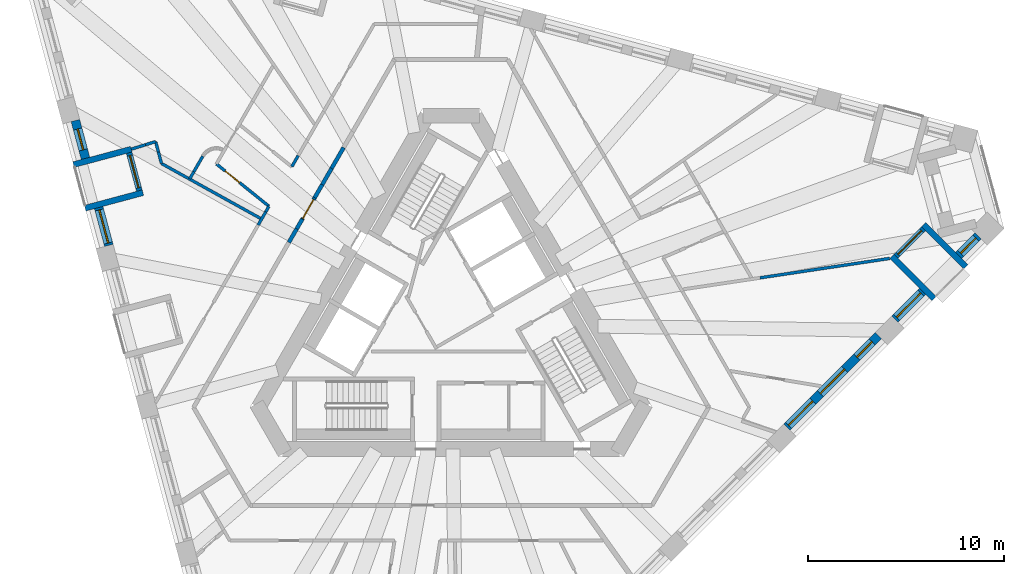
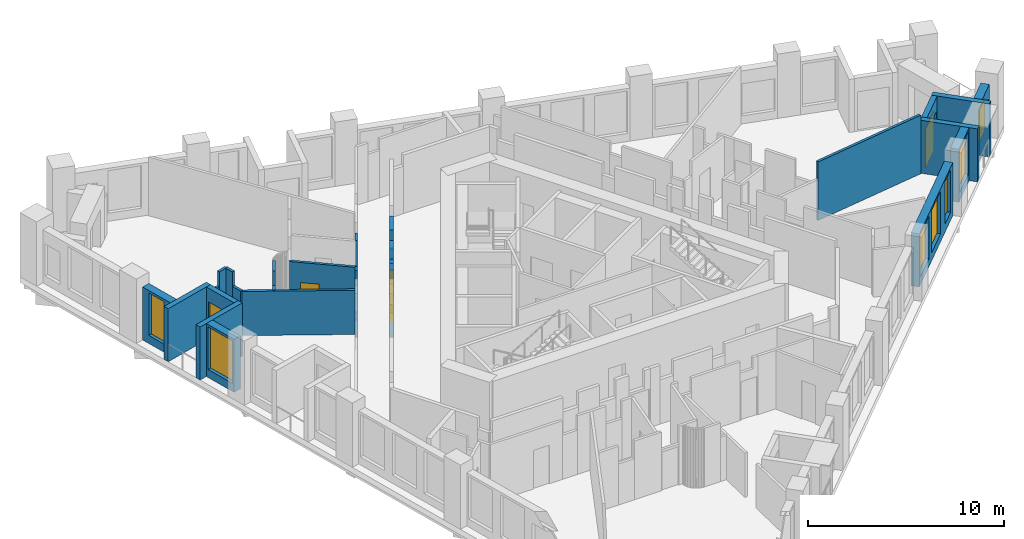
# One storey, part 6 of 13: 29 walls, 7 windows, 4 doors, 11 openings.
"""IFC4 building model written with IfcOpenShell, lengths in metres."""

from ifc_helpers import new_model, si_unit, direction, frame, frame_2d, origin, place, context, subcontext, project, spatial, polyline, rectangle, outline, extrude, material, layer, layer_set, type_object, element, fill, save


model = new_model("IFC4")

# Units and contexts
model_context = context("Model", 3, precision=1e-05, world=origin(), true_north=direction((0.0, 1.0)))
body_context = subcontext(model_context, "Body", "Model", "MODEL_VIEW")
ifc_project = project(units=[si_unit("LENGTHUNIT", "METRE"), si_unit("AREAUNIT", "SQUARE_METRE"), si_unit("VOLUMEUNIT", "CUBIC_METRE"), si_unit("PLANEANGLEUNIT", "RADIAN"), si_unit("MASSUNIT", "GRAM", prefix="KILO")], contexts=[model_context])

# Site, building, storey
site_placement = place(None, origin())
site = spatial("IfcSite", under=ifc_project, at=site_placement, CompositionType="ELEMENT")
building_placement = place(site_placement, origin())
building = spatial("IfcBuilding", under=site, at=building_placement, Name="Tramontana Tower", CompositionType="ELEMENT")
storey_placement = place(building_placement, frame((0.0, 0.0, 212.0)))
storey = spatial("IfcBuildingStorey", under=building, at=storey_placement, Name="L49", CompositionType="ELEMENT", Elevation=212.0)

# Walls
ifc_material_1 = material(Name="Blockwork", Category="masonry")
ifc_layer_1 = layer(ifc_material_1, 0.199951171875)
ifc_layer_set_1 = layer_set([ifc_layer_1], Name="ENTRY WALL 200")
wall_type_1 = type_object("IfcWallType", Name="ENTRY WALL 200", PredefinedType="SOLIDWALL", material=ifc_layer_set_1)
wall_1_placement = place(storey_placement, frame((-8.2783203125, 4.16162109375, 0.0), z_axis=(0.0, 0.0, 1.0), x_axis=(0.500109828528, 0.865961984968, 0.0)))
element("IfcWall", 1, at=wall_1_placement, inside=storey, type_object=wall_type_1, Name="Wall v51-ew4-5", PredefinedType="SOLIDWALL", context=body_context, shape_type="SweptSolid", body=[
    extrude(rectangle(XDim=0.800048828125, YDim=0.199951171875, at=frame_2d((0.39990234375, 0.0))), origin(), (0.0, 0.0, 1.0), 2.75),
])
wall_2_placement = place(storey_placement, frame((-7.878173828125, 4.8544921875, 0.0), z_axis=(0.0, 0.0, 1.0), x_axis=(0.499783563124, 0.866150327617, 0.0)))
element("IfcWall", 2, at=wall_2_placement, inside=storey, type_object=wall_type_1, Name="Wall v51-ew4-6", PredefinedType="SOLIDWALL", context=body_context, shape_type="SweptSolid", body=[
    extrude(rectangle(XDim=0.576416015625, YDim=0.199951171875, at=frame_2d((0.2880859375, 0.0))), origin(), (0.0, 0.0, 1.0), 3.64990234375),
])

# Wall, opening, door
wall_3_placement = place(storey_placement, frame((-7.590087890625, 5.353759765625, 0.0), z_axis=(0.0, 0.0, 1.0), x_axis=(0.50013570633, 0.86594703952, 0.0)))
wall_3 = element("IfcWall", 3, at=wall_3_placement, inside=storey, type_object=wall_type_1, Name="Wall v51-ew4-7", PredefinedType="SOLIDWALL", context=body_context, shape_type="SweptSolid", body=[
    extrude(outline(polyline([(0.0, 0.0), (1.261474609375, 0.0), (1.261474609375, 2.550048828125), (0.347412109375, 2.550048828125), (0.347412109375, 3.64990234375), (0.0, 3.64990234375), (0.0, 0.0)])), frame((0.0, 0.10009765625, 0.0), z_axis=(0.0, -1.0, 0.0), x_axis=(1.0, 0.0, 0.0)), (0.0, 0.0, 1.0), 0.199951171875),
])
opening_1_placement = place(wall_3_placement, frame((0.050048828125, 0.0, 0.0)))
opening_1 = element("IfcOpeningElement", 4, at=opening_1_placement, cuts=wall_3, Name="Opening B5B-19", PredefinedType="OPENING", context=body_context, shape_type="SweptSolid", body=[
    extrude(rectangle(XDim=1.10009765625, YDim=2.39990234375, at=frame_2d((0.550048828125, 1.199951171875))), frame((0.0, 0.10986328125, 0.0), z_axis=(0.0, -1.0, 0.0), x_axis=(1.0, 0.0, 0.0)), (0.0, 0.0, 1.0), 0.219970703125),
])
ifc_material_2 = material(Name="Painted timber", Category="wood")
door_type_1 = type_object("IfcDoorType", Name="DOOR ENTRY 1100", OperationType="SINGLE_SWING_LEFT", PredefinedType="DOOR", material=ifc_material_2)
door_1_placement = place(opening_1_placement, origin())
door_1 = element("IfcDoor", 5, at=door_1_placement, inside=storey, type_object=door_type_1, Name="Door B5B-19", OperationType="SINGLE_SWING_LEFT", OverallHeight=2.39990234375, OverallWidth=1.10009765625, PredefinedType="DOOR", context=body_context, shape_type="SweptSolid", body=[
    extrude(rectangle(XDim=1.10009765625, YDim=2.39990234375, at=frame_2d((0.550048828125, 1.199951171875))), frame((0.0, 0.02490234375, 0.0), z_axis=(0.0, -1.0, 0.0), x_axis=(1.0, 0.0, 0.0)), (0.0, 0.0, 1.0), 0.050048828125),
])
fill(opening_1, door_1)

# Walls
wall_4_placement = place(storey_placement, frame((-6.959228515625, 6.446044921875, 0.0), z_axis=(0.0, 0.0, 1.0), x_axis=(0.499997253739, 0.866026989333, 0.0)))
element("IfcWall", 6, at=wall_4_placement, inside=storey, type_object=wall_type_1, Name="Wall v51-ew4-8", PredefinedType="SOLIDWALL", context=body_context, shape_type="SweptSolid", body=[
    extrude(rectangle(XDim=0.76904296875, YDim=0.199951171875, at=frame_2d((0.384521484375, 0.0))), origin(), (0.0, 0.0, 1.0), 3.64990234375),
])
wall_5_placement = place(storey_placement, frame((-6.57470703125, 7.112060546875, 0.0), z_axis=(0.0, 0.0, 1.0), x_axis=(0.499869636591, 0.866100656052, 0.0)))
element("IfcWall", 7, at=wall_5_placement, inside=storey, type_object=wall_type_1, Name="Wall v51-ew4-9", PredefinedType="SOLIDWALL", context=body_context, shape_type="SweptSolid", body=[
    extrude(rectangle(XDim=0.957275390625, YDim=0.199951171875, at=frame_2d((0.478515625, 0.0))), origin(), (0.0, 0.0, 1.0), 2.550048828125),
])
wall_6_placement = place(storey_placement, frame((-6.09619140625, 7.941162109375, 0.0), z_axis=(0.0, 0.0, 1.0), x_axis=(0.500055461028, 0.865993380977, 0.0)))
element("IfcWall", 8, at=wall_6_placement, inside=storey, type_object=wall_type_1, Name="Wall v51-ew4-10", PredefinedType="SOLIDWALL", context=body_context, shape_type="SweptSolid", body=[
    extrude(rectangle(XDim=1.226806640625, YDim=0.199951171875, at=frame_2d((0.61328125, 0.0))), origin(), (0.0, 0.0, 1.0), 3.64990234375),
])

# Wall, opening, window
ifc_material_3 = material(Name="Precast concrete 60 MPa", Category="concrete")
ifc_layer_2 = layer(ifc_material_3, 0.449951171875)
ifc_layer_set_2 = layer_set([ifc_layer_2], Name="Precast concrete 60 MPa, 450 mm")
wall_type_2 = type_object("IfcWallType", Name="EW1 Stone-faced precast wall 450", PredefinedType="SOLIDWALL", material=ifc_layer_set_2)
wall_7_placement = place(storey_placement, frame((-19.1650390625, 10.3818359375, 0.0), z_axis=(0.0, 0.0, 1.0), x_axis=(0.258803270362, -0.96593005298, 0.0)))
wall_7 = element("IfcWall", 9, at=wall_7_placement, inside=storey, type_object=wall_type_2, Name="External wall L49 face 0 bay 2", PredefinedType="SOLIDWALL", context=body_context, shape_type="SweptSolid", body=[
    extrude(rectangle(XDim=1.998046875, YDim=0.449951171875, at=frame_2d((0.9990234375, 0.0))), origin(), (0.0, 0.0, 1.0), 3.300048828125),
])
opening_2_placement = place(wall_7_placement, frame((0.448974609375, 0.0, 0.5)))
opening_2 = element("IfcOpeningElement", 10, at=opening_2_placement, cuts=wall_7, Name="Opening N2", PredefinedType="OPENING", context=body_context, shape_type="SweptSolid", body=[
    extrude(rectangle(XDim=1.10009765625, YDim=2.64990234375, at=frame_2d((0.550048828125, 1.324951171875))), frame((0.0, 0.23486328125, 0.0), z_axis=(0.0, -1.0, 0.0), x_axis=(1.0, 0.0, 0.0)), (0.0, 0.0, 1.0), 0.469970703125),
])
ifc_material_4 = material(Name="Aluminum frame, double glazing unit", Category="aluminium")
window_type_1 = type_object("IfcWindowType", Name="N2 Window 1.1 x 2.65", PartitioningType="SINGLE_PANEL", PredefinedType="WINDOW", material=ifc_material_4)
window_1_placement = place(opening_2_placement, origin())
window_1 = element("IfcWindow", 11, at=window_1_placement, inside=storey, type_object=window_type_1, Name="Window N2 L49 face 0 module 4", OverallHeight=2.64990234375, OverallWidth=1.10009765625, PartitioningType="SINGLE_PANEL", PredefinedType="WINDOW", context=body_context, shape_type="SweptSolid", body=[
    extrude(rectangle(XDim=1.10009765625, YDim=2.64990234375, at=frame_2d((0.550048828125, 1.324951171875))), frame((0.0, 0.030029296875, 0.0), z_axis=(0.0, -1.0, 0.0), x_axis=(1.0, 0.0, 0.0)), (0.0, 0.0, 1.0), 0.06005859375),
])
fill(opening_2, window_1)

wall_8_placement = place(storey_placement, frame((-17.9755859375, 5.9423828125, 0.0), z_axis=(0.0, 0.0, 1.0), x_axis=(0.25891727291, -0.965899500874, 0.0)))
wall_8 = element("IfcWall", 12, at=wall_8_placement, inside=storey, type_object=wall_type_2, Name="External wall L49 face 0 bay 2", PredefinedType="SOLIDWALL", context=body_context, shape_type="SweptSolid", body=[
    extrude(rectangle(XDim=1.998046875, YDim=0.449951171875, at=frame_2d((0.9990234375, 0.0))), origin(), (0.0, 0.0, 1.0), 3.300048828125),
])
opening_3_placement = place(wall_8_placement, frame((0.1240234375, 0.0, 0.5)))
opening_3 = element("IfcOpeningElement", 13, at=opening_3_placement, cuts=wall_8, Name="Opening M2", PredefinedType="OPENING", context=body_context, shape_type="SweptSolid", body=[
    extrude(rectangle(XDim=1.75, YDim=2.64990234375, at=frame_2d((0.875, 1.324951171875))), frame((0.0, 0.23486328125, 0.0), z_axis=(0.0, -1.0, 0.0), x_axis=(1.0, 0.0, 0.0)), (0.0, 0.0, 1.0), 0.469970703125),
])
ifc_material_5 = material(Name="Aluminum frame, double glazing unit", Category="aluminium")
window_type_2 = type_object("IfcWindowType", Name="M2 Window 1.75 x 2.65", PartitioningType="SINGLE_PANEL", PredefinedType="WINDOW", material=ifc_material_5)
window_2_placement = place(opening_3_placement, origin())
window_2 = element("IfcWindow", 14, at=window_2_placement, inside=storey, type_object=window_type_2, Name="Window M2 L49 face 0 module 6", OverallHeight=2.64990234375, OverallWidth=1.75, PartitioningType="SINGLE_PANEL", PredefinedType="WINDOW", context=body_context, shape_type="SweptSolid", body=[
    extrude(rectangle(XDim=1.75, YDim=2.64990234375, at=frame_2d((0.875, 1.324951171875))), frame((0.0, 0.030029296875, 0.0), z_axis=(0.0, -1.0, 0.0), x_axis=(1.0, 0.0, 0.0)), (0.0, 0.0, 1.0), 0.06005859375),
])
fill(opening_3, window_2)

# Wall, openings, windows
wall_9_placement = place(storey_placement, frame((17.12548828125, -5.25439453125, 0.0), z_axis=(0.0, 0.0, 1.0), x_axis=(0.707106781187, 0.707106781187, 0.0)))
wall_9 = element("IfcWall", 15, at=wall_9_placement, inside=storey, type_object=wall_type_2, Name="External wall L49 face 1 bay 5", PredefinedType="SOLIDWALL", context=body_context, shape_type="SweptSolid", body=[
    extrude(rectangle(XDim=6.59423828125, YDim=0.449951171875, at=frame_2d((3.297119140625, 0.0))), origin(), (0.0, 0.0, 1.0), 3.300048828125),
])
opening_4_placement = place(wall_9_placement, frame((0.1240234375, 0.0, 0.5)))
opening_4 = element("IfcOpeningElement", 16, at=opening_4_placement, cuts=wall_9, Name="Opening M2", PredefinedType="OPENING", context=body_context, shape_type="SweptSolid", body=[
    extrude(rectangle(XDim=1.75, YDim=2.64990234375, at=frame_2d((0.875, 1.324951171875))), frame((0.0, 0.23486328125, 0.0), z_axis=(0.0, -1.0, 0.0), x_axis=(1.0, 0.0, 0.0)), (0.0, 0.0, 1.0), 0.469970703125),
])
opening_5_placement = place(wall_9_placement, frame((2.422119140625, 0.0, 0.5)))
opening_5 = element("IfcOpeningElement", 17, at=opening_5_placement, cuts=wall_9, Name="Opening M2", PredefinedType="OPENING", context=body_context, shape_type="SweptSolid", body=[
    extrude(rectangle(XDim=1.75, YDim=2.64990234375, at=frame_2d((0.875, 1.324951171875))), frame((0.0, 0.23486328125, 0.0), z_axis=(0.0, -1.0, 0.0), x_axis=(1.0, 0.0, 0.0)), (0.0, 0.0, 1.0), 0.469970703125),
])
opening_6_placement = place(wall_9_placement, frame((5.045166015625, 0.0, 0.5)))
opening_6 = element("IfcOpeningElement", 18, at=opening_6_placement, cuts=wall_9, Name="Opening N2", PredefinedType="OPENING", context=body_context, shape_type="SweptSolid", body=[
    extrude(rectangle(XDim=1.10009765625, YDim=2.64990234375, at=frame_2d((0.550048828125, 1.324951171875))), frame((0.0, 0.23486328125, 0.0), z_axis=(0.0, -1.0, 0.0), x_axis=(1.0, 0.0, 0.0)), (0.0, 0.0, 1.0), 0.469970703125),
])
window_3_placement = place(opening_4_placement, origin())
window_3 = element("IfcWindow", 19, at=window_3_placement, inside=storey, type_object=window_type_2, Name="Window M2 L49 face 1 module 13", OverallHeight=2.64990234375, OverallWidth=1.75, PartitioningType="SINGLE_PANEL", PredefinedType="WINDOW", context=body_context, shape_type="SweptSolid", body=[
    extrude(rectangle(XDim=1.75, YDim=2.64990234375, at=frame_2d((0.875, 1.324951171875))), frame((0.0, 0.030029296875, 0.0), z_axis=(0.0, -1.0, 0.0), x_axis=(1.0, 0.0, 0.0)), (0.0, 0.0, 1.0), 0.06005859375),
])
fill(opening_4, window_3)
window_4_placement = place(opening_5_placement, origin())
window_4 = element("IfcWindow", 20, at=window_4_placement, inside=storey, type_object=window_type_2, Name="Window M2 L49 face 1 module 14", OverallHeight=2.64990234375, OverallWidth=1.75, PartitioningType="SINGLE_PANEL", PredefinedType="WINDOW", context=body_context, shape_type="SweptSolid", body=[
    extrude(rectangle(XDim=1.75, YDim=2.64990234375, at=frame_2d((0.875, 1.324951171875))), frame((0.0, 0.030029296875, 0.0), z_axis=(0.0, -1.0, 0.0), x_axis=(1.0, 0.0, 0.0)), (0.0, 0.0, 1.0), 0.06005859375),
])
fill(opening_5, window_4)
window_5_placement = place(opening_6_placement, origin())
window_5 = element("IfcWindow", 21, at=window_5_placement, inside=storey, type_object=window_type_1, Name="Window N2 L49 face 1 module 15", OverallHeight=2.64990234375, OverallWidth=1.10009765625, PartitioningType="SINGLE_PANEL", PredefinedType="WINDOW", context=body_context, shape_type="SweptSolid", body=[
    extrude(rectangle(XDim=1.10009765625, YDim=2.64990234375, at=frame_2d((0.550048828125, 1.324951171875))), frame((0.0, 0.030029296875, 0.0), z_axis=(0.0, -1.0, 0.0), x_axis=(1.0, 0.0, 0.0)), (0.0, 0.0, 1.0), 0.06005859375),
])
fill(opening_6, window_5)

# Wall, opening, window
wall_10_placement = place(storey_placement, frame((22.636962890625, 0.257080078125, 0.0), z_axis=(0.0, 0.0, 1.0), x_axis=(0.707106781187, 0.707106781187, 0.0)))
wall_10 = element("IfcWall", 22, at=wall_10_placement, inside=storey, type_object=wall_type_2, Name="External wall L49 face 1 bay 6", PredefinedType="SOLIDWALL", context=body_context, shape_type="SweptSolid", body=[
    extrude(rectangle(XDim=1.998046875, YDim=0.449951171875, at=frame_2d((0.9990234375, 0.0))), origin(), (0.0, 0.0, 1.0), 3.300048828125),
])
opening_7_placement = place(wall_10_placement, frame((0.1240234375, 0.0, 0.5)))
opening_7 = element("IfcOpeningElement", 23, at=opening_7_placement, cuts=wall_10, Name="Opening M2", PredefinedType="OPENING", context=body_context, shape_type="SweptSolid", body=[
    extrude(rectangle(XDim=1.75, YDim=2.64990234375, at=frame_2d((0.875, 1.324951171875))), frame((0.0, 0.23486328125, 0.0), z_axis=(0.0, -1.0, 0.0), x_axis=(1.0, 0.0, 0.0)), (0.0, 0.0, 1.0), 0.469970703125),
])
window_6_placement = place(opening_7_placement, origin())
window_6 = element("IfcWindow", 24, at=window_6_placement, inside=storey, type_object=window_type_2, Name="Window M2 L49 face 1 module 16", OverallHeight=2.64990234375, OverallWidth=1.75, PartitioningType="SINGLE_PANEL", PredefinedType="WINDOW", context=body_context, shape_type="SweptSolid", body=[
    extrude(rectangle(XDim=1.75, YDim=2.64990234375, at=frame_2d((0.875, 1.324951171875))), frame((0.0, 0.030029296875, 0.0), z_axis=(0.0, -1.0, 0.0), x_axis=(1.0, 0.0, 0.0)), (0.0, 0.0, 1.0), 0.06005859375),
])
fill(opening_7, window_6)

wall_11_placement = place(storey_placement, frame((25.886962890625, 3.507080078125, 0.0), z_axis=(0.0, 0.0, 1.0), x_axis=(0.707106781187, 0.707106781187, 0.0)))
wall_11 = element("IfcWall", 25, at=wall_11_placement, inside=storey, type_object=wall_type_2, Name="External wall L49 face 1 bay 6", PredefinedType="SOLIDWALL", context=body_context, shape_type="SweptSolid", body=[
    extrude(rectangle(XDim=1.39794921875, YDim=0.449951171875, at=frame_2d((0.698974609375, 0.0))), origin(), (0.0, 0.0, 1.0), 3.300048828125),
])
opening_8_placement = place(wall_11_placement, frame((0.14892578125, 0.0, 0.5)))
opening_8 = element("IfcOpeningElement", 26, at=opening_8_placement, cuts=wall_11, Name="Opening N2L", PredefinedType="OPENING", context=body_context, shape_type="SweptSolid", body=[
    extrude(rectangle(XDim=1.10009765625, YDim=2.0, at=frame_2d((0.550048828125, 1.0))), frame((0.0, 0.23486328125, 0.0), z_axis=(0.0, -1.0, 0.0), x_axis=(1.0, 0.0, 0.0)), (0.0, 0.0, 1.0), 0.469970703125),
])
ifc_material_6 = material(Name="Aluminum frame, double glazing unit", Category="aluminium")
window_type_3 = type_object("IfcWindowType", Name="N2L Window 1.1 x 2", PartitioningType="SINGLE_PANEL", PredefinedType="WINDOW", material=ifc_material_6)
window_7_placement = place(opening_8_placement, origin())
window_7 = element("IfcWindow", 27, at=window_7_placement, inside=storey, type_object=window_type_3, Name="Window N2L L49 face 1 module 18", OverallHeight=2.0, OverallWidth=1.10009765625, PartitioningType="SINGLE_PANEL", PredefinedType="WINDOW", context=body_context, shape_type="SweptSolid", body=[
    extrude(rectangle(XDim=1.10009765625, YDim=2.0, at=frame_2d((0.550048828125, 1.0))), frame((0.0, 0.030029296875, 0.0), z_axis=(0.0, -1.0, 0.0), x_axis=(1.0, 0.0, 0.0)), (0.0, 0.0, 1.0), 0.06005859375),
])
fill(opening_8, window_7)

# Wall, opening, door
ifc_material_7 = material(Name="Precast concrete 60 MPa", Category="concrete")
ifc_layer_3 = layer(ifc_material_7, 0.300048828125)
ifc_layer_set_3 = layer_set([ifc_layer_3], Name="LW1 Stone-faced loggia wall 300")
wall_type_3 = type_object("IfcWallType", Name="LW1 Stone-faced loggia wall 300", PredefinedType="SOLIDWALL", material=ifc_layer_set_3)
wall_12_placement = place(storey_placement, frame((-16.421142578125, 8.738037109375, 0.0), z_axis=(0.0, 0.0, 1.0), x_axis=(0.258803270362, -0.96593005298, 0.0)))
wall_12 = element("IfcWall", 28, at=wall_12_placement, inside=storey, type_object=wall_type_3, Name="Loggia wall L49 G5S0.4", PredefinedType="SOLIDWALL", context=body_context, shape_type="SweptSolid", body=[
    extrude(rectangle(XDim=1.998046875, YDim=0.300048828125, at=frame_2d((0.9990234375, 0.0))), origin(), (0.0, 0.0, 1.0), 3.300048828125),
])
opening_9_placement = place(wall_12_placement, frame((0.14892578125, 0.0, 0.0)))
opening_9 = element("IfcOpeningElement", 29, at=opening_9_placement, cuts=wall_12, Name="Opening BD-5S0-04", PredefinedType="OPENING", context=body_context, shape_type="SweptSolid", body=[
    extrude(rectangle(XDim=1.699951171875, YDim=2.449951171875, at=frame_2d((0.85009765625, 1.22509765625))), frame((0.0, 0.159912109375, 0.0), z_axis=(0.0, -1.0, 0.0), x_axis=(1.0, 0.0, 0.0)), (0.0, 0.0, 1.0), 0.320068359375),
])
ifc_material_8 = material(Name="Aluminum frame, double glazing unit", Category="aluminium")
door_type_2 = type_object("IfcDoorType", Name="BD2 Sliding door 1.7 x 2.45", OperationType="SLIDING_TO_LEFT", PredefinedType="DOOR", material=ifc_material_8)
door_2_placement = place(opening_9_placement, origin())
door_2 = element("IfcDoor", 30, at=door_2_placement, inside=storey, type_object=door_type_2, Name="Loggia door L49 G5S0.4", OperationType="SLIDING_TO_LEFT", OverallHeight=2.449951171875, OverallWidth=1.699951171875, PredefinedType="DOOR", context=body_context, shape_type="SweptSolid", body=[
    extrude(rectangle(XDim=1.699951171875, YDim=2.449951171875, at=frame_2d((0.85009765625, 1.22509765625))), frame((0.0, 0.02490234375, 0.0), z_axis=(0.0, -1.0, 0.0), x_axis=(1.0, 0.0, 0.0)), (0.0, 0.0, 1.0), 0.050048828125),
])
fill(opening_9, door_2)

# Walls
wall_13_placement = place(storey_placement, frame((-19.26123046875, 8.13232421875, 0.0), z_axis=(0.0, 0.0, 1.0), x_axis=(0.9659380486, 0.25877342651, 0.0)))
element("IfcWall", 31, at=wall_13_placement, inside=storey, type_object=wall_type_3, Name="Loggia return L49 G5S0.4a", PredefinedType="SOLIDWALL", context=body_context, shape_type="SweptSolid", body=[
    extrude(rectangle(XDim=3.05029296875, YDim=0.300048828125, at=frame_2d((1.525146484375, 0.0))), origin(), (0.0, 0.0, 1.0), 3.300048828125),
])
wall_14_placement = place(storey_placement, frame((-18.666259765625, 5.91259765625, 0.0), z_axis=(0.0, 0.0, 1.0), x_axis=(0.965932688119, 0.258793435045, 0.0)))
element("IfcWall", 32, at=wall_14_placement, inside=storey, type_object=wall_type_3, Name="Loggia return L49 G5S0.4b", PredefinedType="SOLIDWALL", context=body_context, shape_type="SweptSolid", body=[
    extrude(rectangle(XDim=3.050048828125, YDim=0.300048828125, at=frame_2d((1.52490234375, 0.0))), origin(), (0.0, 0.0, 1.0), 3.300048828125),
])

# Wall, opening, door
wall_15_placement = place(storey_placement, frame((22.688720703125, 3.455322265625, 0.0), z_axis=(0.0, 0.0, 1.0), x_axis=(0.707106781187, 0.707106781187, 0.0)))
wall_15 = element("IfcWall", 33, at=wall_15_placement, inside=storey, type_object=wall_type_3, Name="Loggia wall L49 G5S1.16", PredefinedType="SOLIDWALL", context=body_context, shape_type="SweptSolid", body=[
    extrude(rectangle(XDim=1.998046875, YDim=0.300048828125, at=frame_2d((0.9990234375, 0.0))), origin(), (0.0, 0.0, 1.0), 3.300048828125),
])
opening_10_placement = place(wall_15_placement, frame((0.14892578125, 0.0, 0.0)))
opening_10 = element("IfcOpeningElement", 34, at=opening_10_placement, cuts=wall_15, Name="Opening BD-5S1-16", PredefinedType="OPENING", context=body_context, shape_type="SweptSolid", body=[
    extrude(rectangle(XDim=1.699951171875, YDim=2.449951171875, at=frame_2d((0.85009765625, 1.22509765625))), frame((0.0, 0.159912109375, 0.0), z_axis=(0.0, -1.0, 0.0), x_axis=(1.0, 0.0, 0.0)), (0.0, 0.0, 1.0), 0.320068359375),
])
door_3_placement = place(opening_10_placement, origin())
door_3 = element("IfcDoor", 35, at=door_3_placement, inside=storey, type_object=door_type_2, Name="Loggia door L49 G5S1.16", OperationType="SLIDING_TO_LEFT", OverallHeight=2.449951171875, OverallWidth=1.699951171875, PredefinedType="DOOR", context=body_context, shape_type="SweptSolid", body=[
    extrude(rectangle(XDim=1.699951171875, YDim=2.449951171875, at=frame_2d((0.85009765625, 1.22509765625))), frame((0.0, 0.02490234375, 0.0), z_axis=(0.0, -1.0, 0.0), x_axis=(1.0, 0.0, 0.0)), (0.0, 0.0, 1.0), 0.050048828125),
])
fill(opening_10, door_3)

# Walls
for number, where, z_axis, x_axis, name in (
    (36, (24.633056640625, 1.298583984375, 0.0), (0.0, 0.0, 1.0), (-0.707066755897, 0.707146804211, 0.0), "Loggia return L49 G5S1.16a"),
    (37, (26.258056640625, 2.923583984375, 0.0), (0.0, 0.0, 1.0), (-0.707066755897, 0.707146804211, 0.0), "Loggia return L49 G5S1.16b"),
):
    element("IfcWall", number, at=place(storey_placement, frame(where, z_axis=z_axis, x_axis=x_axis)), inside=storey, type_object=wall_type_3, Name=name, PredefinedType="SOLIDWALL", context=body_context, shape_type="SweptSolid", body=[
        extrude(rectangle(XDim=3.0498046875, YDim=0.300048828125, at=frame_2d((1.52490234375, 0.0))), origin(), (0.0, 0.0, 1.0), 3.300048828125),
    ])
ifc_material_9 = material(Name="Gypsum board partition")
ifc_layer_4 = layer(ifc_material_9, 0.14990234375)
ifc_layer_set_4 = layer_set([ifc_layer_4], Name="PARTITION 150")
wall_type_4 = type_object("IfcWallType", Name="PARTITION 150", PredefinedType="PARTITIONING", material=ifc_layer_set_4)
wall_16_placement = place(storey_placement, frame((-9.843994140625, 5.0498046875, 0.0), z_axis=(0.0, 0.0, 1.0), x_axis=(0.500204125617, 0.865907519724, 0.0)))
element("IfcWall", 38, at=wall_16_placement, inside=storey, type_object=wall_type_4, Name="Wall v51-pw01-4", PredefinedType="PARTITIONING", context=body_context, shape_type="SweptSolid", body=[
    extrude(rectangle(XDim=0.775146484375, YDim=0.14990234375, at=frame_2d((0.3876953125, 0.0))), origin(), (0.0, 0.0, 1.0), 2.75),
])
wall_17_placement = place(storey_placement, frame((-9.456298828125, 5.720947265625, 0.0), z_axis=(0.0, 0.0, 1.0), x_axis=(0.499572501669, 0.866272079416, 0.0)))
element("IfcWall", 39, at=wall_17_placement, inside=storey, type_object=wall_type_4, Name="Wall v51-pw01-5", PredefinedType="PARTITIONING", context=body_context, shape_type="SweptSolid", body=[
    extrude(rectangle(XDim=0.328857421875, YDim=0.14990234375, at=frame_2d((0.16455078125, 0.0))), origin(), (0.0, 0.0, 1.0), 3.64990234375),
])
wall_18_placement = place(storey_placement, frame((-15.073974609375, 9.30615234375, 0.0), z_axis=(0.0, 0.0, 1.0), x_axis=(-0.955252629149, -0.295791167049, 0.0)))
element("IfcWall", 40, at=wall_18_placement, inside=storey, type_object=wall_type_4, Name="Wall v51-pw02-0", PredefinedType="PARTITIONING", context=body_context, shape_type="SweptSolid", body=[
    extrude(rectangle(XDim=0.543212890625, YDim=0.14990234375, at=frame_2d((0.271484375, 0.0))), origin(), (0.0, 0.0, 1.0), 3.64990234375),
])
wall_19_placement = place(storey_placement, frame((-15.5927734375, 9.1455078125, 0.0), z_axis=(0.0, 0.0, 1.0), x_axis=(-0.955155499666, -0.296104663013, 0.0)))
element("IfcWall", 41, at=wall_19_placement, inside=storey, type_object=wall_type_4, Name="Wall v51-pw02-1", PredefinedType="PARTITIONING", context=body_context, shape_type="SweptSolid", body=[
    extrude(rectangle(XDim=0.756103515625, YDim=0.14990234375, at=frame_2d((0.3779296875, 0.0))), origin(), (0.0, 0.0, 1.0), 2.75),
])
wall_20_placement = place(storey_placement, frame((-14.77294921875, 8.190185546875, 0.0), z_axis=(0.0, 0.0, 1.0), x_axis=(-0.258715941946, 0.965953446799, 0.0)))
element("IfcWall", 42, at=wall_20_placement, inside=storey, type_object=wall_type_4, Name="Wall v51-pw03-0", PredefinedType="PARTITIONING", context=body_context, shape_type="SweptSolid", body=[
    extrude(rectangle(XDim=0.605712890625, YDim=0.14990234375, at=frame_2d((0.302734375, 0.0))), origin(), (0.0, 0.0, 1.0), 2.75),
])
wall_21_placement = place(storey_placement, frame((-14.9296875, 8.775390625, 0.0), z_axis=(0.0, 0.0, 1.0), x_axis=(-0.258743505369, 0.965946063934, 0.0)))
element("IfcWall", 43, at=wall_21_placement, inside=storey, type_object=wall_type_4, Name="Wall v51-pw03-1", PredefinedType="PARTITIONING", context=body_context, shape_type="SweptSolid", body=[
    extrude(rectangle(XDim=0.548095703125, YDim=0.14990234375, at=frame_2d((0.27392578125, 0.0))), origin(), (0.0, 0.0, 1.0), 3.64990234375),
])
wall_22_placement = place(storey_placement, frame((-13.33251953125, 7.407470703125, 0.0), z_axis=(0.0, 0.0, 1.0), x_axis=(0.50011153263, 0.865961000814, 0.0)))
element("IfcWall", 44, at=wall_22_placement, inside=storey, type_object=wall_type_4, Name="Wall v51-pw05-0", PredefinedType="PARTITIONING", context=body_context, shape_type="SweptSolid", body=[
    extrude(rectangle(XDim=0.41650390625, YDim=0.14990234375, at=frame_2d((0.208251953125, 0.0))), origin(), (0.0, 0.0, 1.0), 2.75),
])
wall_23_placement = place(storey_placement, frame((-13.124267578125, 7.76806640625, 0.0), z_axis=(0.0, 0.0, 1.0), x_axis=(0.499982117899, 0.866035727774, 0.0)))
element("IfcWall", 45, at=wall_23_placement, inside=storey, type_object=wall_type_4, Name="Wall v51-pw05-1", PredefinedType="PARTITIONING", context=body_context, shape_type="SweptSolid", body=[
    extrude(rectangle(XDim=0.92236328125, YDim=0.14990234375, at=frame_2d((0.461181640625, 0.0))), origin(), (0.0, 0.0, 1.0), 3.64990234375),
])
wall_24_placement = place(storey_placement, frame((-9.731201171875, 5.39501953125, 0.0), z_axis=(0.0, 0.0, 1.0), x_axis=(-0.874584439846, 0.484873238671, 0.0)))
element("IfcWall", 46, at=wall_24_placement, inside=storey, type_object=wall_type_4, Name="Wall v51-pw27-0", PredefinedType="PARTITIONING", context=body_context, shape_type="SweptSolid", body=[
    extrude(rectangle(XDim=5.7646484375, YDim=0.14990234375, at=frame_2d((2.88232421875, 0.0))), origin(), (0.0, 0.0, 1.0), 2.75),
])

# Wall, opening, door
wall_25_placement = place(storey_placement, frame((-9.292724609375, 6.009765625, 0.0), z_axis=(0.0, 0.0, 1.0), x_axis=(-0.778674886867, 0.627427621772, 0.0)))
wall_25 = element("IfcWall", 47, at=wall_25_placement, inside=storey, type_object=wall_type_4, Name="Wall v51-pw28", PredefinedType="PARTITIONING", context=body_context, shape_type="SweptSolid", body=[
    extrude(rectangle(XDim=3.438232421875, YDim=0.14990234375, at=frame_2d((1.71923828125, 0.0))), origin(), (0.0, 0.0, 1.0), 3.64990234375),
])
opening_11_placement = place(wall_25_placement, frame((1.919921875, 0.0, 0.0)))
opening_11 = element("IfcOpeningElement", 48, at=opening_11_placement, cuts=wall_25, Name="Opening B5B-01", PredefinedType="OPENING", context=body_context, shape_type="SweptSolid", body=[
    extrude(rectangle(XDim=0.949951171875, YDim=2.39990234375, at=frame_2d((0.47509765625, 1.199951171875))), frame((0.0, 0.0849609375, 0.0), z_axis=(0.0, -1.0, 0.0), x_axis=(1.0, 0.0, 0.0)), (0.0, 0.0, 1.0), 0.169921875),
])
ifc_material_10 = material(Name="Painted timber", Category="wood")
door_type_3 = type_object("IfcDoorType", Name="DOOR ROOM 950", OperationType="SINGLE_SWING_LEFT", PredefinedType="DOOR", material=ifc_material_10)
door_4_placement = place(opening_11_placement, origin())
door_4 = element("IfcDoor", 49, at=door_4_placement, inside=storey, type_object=door_type_3, Name="Door B5B-01", OperationType="SINGLE_SWING_LEFT", OverallHeight=2.39990234375, OverallWidth=0.949951171875, PredefinedType="DOOR", context=body_context, shape_type="SweptSolid", body=[
    extrude(rectangle(XDim=0.949951171875, YDim=2.39990234375, at=frame_2d((0.47509765625, 1.199951171875))), frame((0.0, 0.02490234375, 0.0), z_axis=(0.0, -1.0, 0.0), x_axis=(1.0, 0.0, 0.0)), (0.0, 0.0, 1.0), 0.050048828125),
])
fill(opening_11, door_4)

# Walls
wall_26_placement = place(storey_placement, frame((-8.125, 8.027099609375, 0.0), z_axis=(0.0, 0.0, 1.0), x_axis=(0.499907248082, 0.866078947507, 0.0)))
element("IfcWall", 50, at=wall_26_placement, inside=storey, type_object=wall_type_4, Name="Wall v51-pw29-0", PredefinedType="PARTITIONING", context=body_context, shape_type="SweptSolid", body=[
    extrude(rectangle(XDim=0.64794921875, YDim=0.14990234375, at=frame_2d((0.323974609375, 0.0))), origin(), (0.0, 0.0, 1.0), 3.64990234375),
])
wall_27_placement = place(storey_placement, frame((22.370361328125, 3.34912109375, 0.0), z_axis=(0.0, 0.0, 1.0), x_axis=(-0.988979396503, -0.148053211016, 0.0)))
element("IfcWall", 51, at=wall_27_placement, inside=storey, type_object=wall_type_4, Name="Wall v51-pw67-0", PredefinedType="PARTITIONING", context=body_context, shape_type="SweptSolid", body=[
    extrude(rectangle(XDim=6.691650390625, YDim=0.14990234375, at=frame_2d((3.345703125, 0.0))), origin(), (0.0, 0.0, 1.0), 3.64990234375),
])

save(model, "model.ifc")
